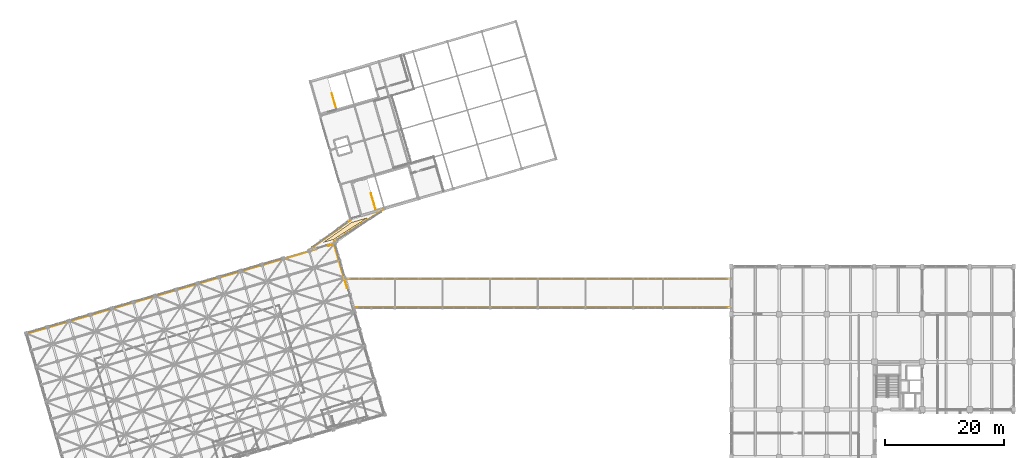
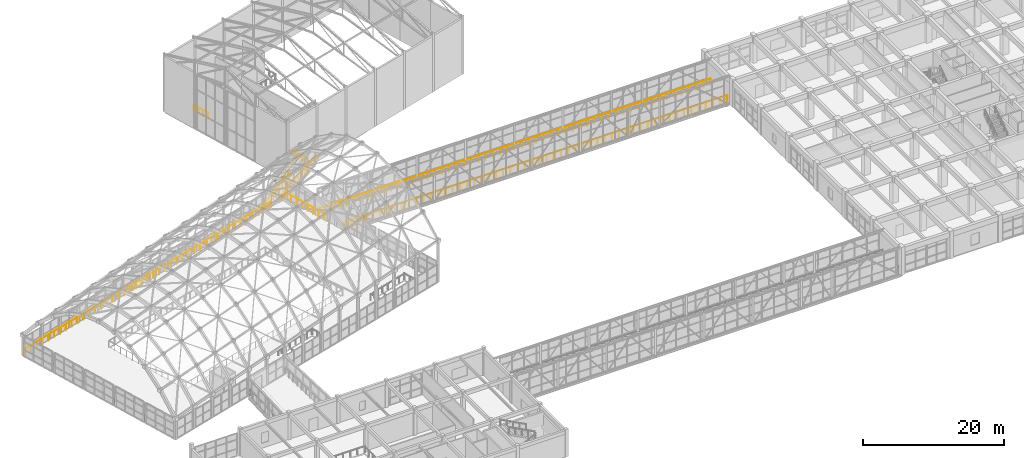
# One storey, part 243 of 248: 8 railings, 1 covering, 1 element without a shape of its own.
"""IFC4 building model written with IfcOpenShell, lengths in metres."""

from ifc_helpers import new_model, si_unit, direction, frame, origin, origin_2d, place, context, subcontext, project, spatial, polyline, circle, outline, extrude, material, layer, layer_set, type_object, element, aggregate, save


model = new_model("IFC4")

# Units and contexts
model_context = context("Model", 3, precision=1e-05, world=origin(), true_north=direction((0.0, 1.0)))
body_context = subcontext(model_context, "Body", "Model", "MODEL_VIEW")
ifc_project = project(units=[si_unit("LENGTHUNIT", "METRE"), si_unit("AREAUNIT", "SQUARE_METRE"), si_unit("VOLUMEUNIT", "CUBIC_METRE"), si_unit("PLANEANGLEUNIT", "RADIAN"), si_unit("MASSUNIT", "GRAM", prefix="KILO")], contexts=[model_context])

# Site, building, storey
site_placement = place(None, origin())
site = spatial("IfcSite", under=ifc_project, at=site_placement, CompositionType="ELEMENT")
building_placement = place(site_placement, origin())
building = spatial("IfcBuilding", under=site, at=building_placement, Name="Canggui Botanical Conservatory", CompositionType="ELEMENT")
storey_placement = place(building_placement, frame((0.0, 0.0, 5.39990234375)))
storey = spatial("IfcBuildingStorey", under=building, at=storey_placement, Name="L02", CompositionType="ELEMENT", Elevation=5.39990234375)

# Roof, covering
ifc_material_1 = material(Name="Concrete C35", Category="concrete")
ifc_layer_1 = layer(ifc_material_1, 0.239990234375, Name="Concrete C35", Category="concrete")
ifc_layer_set_1 = layer_set([ifc_layer_1], Name="Concrete C35")
roof_type = type_object("IfcRoofType", Name="ROOF-FLAT", PredefinedType="FLAT_ROOF", material=ifc_layer_set_1)
roof_placement = place(storey_placement, origin())
roof = element("IfcRoof", 1, at=roof_placement, inside=storey, type_object=roof_type, Name="North-West Spur Covered Skybridge SB-03 Flat Roof", PredefinedType="FLAT_ROOF")
ifc_material_2 = material(Name="TPO Waterproofing Membrane")
ifc_layer_2 = layer(ifc_material_2, 0.02490234375, Name="TPO Waterproofing Membrane")
ifc_layer_set_2 = layer_set([ifc_layer_2], Name="TPO Waterproofing Membrane")
covering_type = type_object("IfcCoveringType", Name="COV-ROOF-25", PredefinedType="ROOFING", material=ifc_layer_set_2)
covering_placement = place(storey_placement, frame((0.0, 0.0, 3.35009765625)))
covering = element("IfcCovering", 2, at=covering_placement, type_object=covering_type, Name="SB-03 Roof TPO Waterproofing Membrane", PredefinedType="ROOFING", context=body_context, shape_type="SweptSolid", body=[
    extrude(outline(polyline([(61.510009765625, 86.0341796875), (66.254638671875, 89.397216796875), (68.91796875, 90.174072265625), (63.1962890625, 86.52587890625), (61.510009765625, 86.0341796875)])), origin(), (0.0, 0.0, 1.0), 0.02490234375),
])
aggregate(roof, [covering])

# Railings
ifc_material_3 = material(Name="Stainless Steel 304", Category="steel")
railing_type_1 = type_object("IfcRailingType", Name="RAIL-GUARD-1100", PredefinedType="BALUSTRADE", material=ifc_material_3)
for number, where, name in (
    (3, (70.264404296875, 91.629150390625, 0.0), "L02 ST-A1 top well guard 1"),
    (4, (63.6884765625, 108.461181640625, 0.0), "L02 ST-A2 top well guard 1"),
):
    element("IfcRailing", number, at=place(storey_placement, frame(where)), inside=storey, type_object=railing_type_1, Name=name, PredefinedType="BALUSTRADE", context=body_context, shape_type="SweptSolid", body=[
        extrude(circle(Radius=0.02392578125, at=origin_2d()), frame((0.0, 0.0, 1.076171875), z_axis=(-0.28, 0.96, 0.0), x_axis=(-0.96, -0.28, 0.0)), (0.0, 0.0, 1.0), 2.7099609375),
        extrude(circle(Radius=0.02099609375, at=origin_2d()), origin(), (0.0, 0.0, 1.0), 1.052001953125),
        extrude(circle(Radius=0.02099609375, at=origin_2d()), frame((-0.2529296875, 0.8671875, 0.0)), (0.0, 0.0, 1.0), 1.052001953125),
        extrude(circle(Radius=0.02099609375, at=origin_2d()), frame((-0.505859375, 1.734375, 0.0)), (0.0, 0.0, 1.0), 1.052001953125),
        extrude(circle(Radius=0.02099609375, at=origin_2d()), frame((-0.7587890625, 2.6015625, 0.0)), (0.0, 0.0, 1.0), 1.052001953125),
    ])
ifc_material_4 = material(Name="Laminated Safety Glass", Category="glass")
railing_type_2 = type_object("IfcRailingType", Name="RAIL-TERR-1200", PredefinedType="BALUSTRADE", material=ifc_material_4)
railing_1_placement = place(storey_placement, frame((59.13330078125, 84.754150390625, 0.0)))
element("IfcRailing", 5, at=railing_1_placement, inside=storey, type_object=railing_type_2, Name="SB-03 Glazed Walkway Guardrail 1", PredefinedType="BALUSTRADE", context=body_context, shape_type="SweptSolid", body=[
    extrude(circle(Radius=0.02392578125, at=origin_2d()), frame((0.0, 0.0, 1.17578125), z_axis=(0.815845291586, 0.578270231117, 0.0), x_axis=(-0.578270231117, 0.815845291586, 0.0)), (0.0, 0.0, 1.0), 8.570556640625),
    extrude(circle(Radius=0.02099609375, at=origin_2d()), origin(), (0.0, 0.0, 1.0), 1.15185546875),
    extrude(circle(Radius=0.02099609375, at=origin_2d()), frame((0.8740234375, 0.61962890625, 0.0)), (0.0, 0.0, 1.0), 1.15185546875),
    extrude(circle(Radius=0.02099609375, at=origin_2d()), frame((1.748046875, 1.239013671875, 0.0)), (0.0, 0.0, 1.0), 1.15185546875),
    extrude(circle(Radius=0.02099609375, at=origin_2d()), frame((2.6220703125, 1.8583984375, 0.0)), (0.0, 0.0, 1.0), 1.15185546875),
    extrude(circle(Radius=0.02099609375, at=origin_2d()), frame((3.49609375, 2.47802734375, 0.0)), (0.0, 0.0, 1.0), 1.15185546875),
    extrude(circle(Radius=0.02099609375, at=origin_2d()), frame((4.3701171875, 3.09765625, 0.0)), (0.0, 0.0, 1.0), 1.15185546875),
    extrude(circle(Radius=0.02099609375, at=origin_2d()), frame((5.244140625, 3.717041015625, 0.0)), (0.0, 0.0, 1.0), 1.15185546875),
    extrude(circle(Radius=0.02099609375, at=origin_2d()), frame((6.1181640625, 4.33642578125, 0.0)), (0.0, 0.0, 1.0), 1.15185546875),
    extrude(circle(Radius=0.02099609375, at=origin_2d()), frame((6.9921875, 4.9560546875, 0.0)), (0.0, 0.0, 1.0), 1.15185546875),
])
railing_2_placement = place(storey_placement, frame((63.319580078125, 86.213134765625, 0.0)))
element("IfcRailing", 6, at=railing_2_placement, inside=storey, type_object=railing_type_2, Name="SB-03 Glazed Walkway Guardrail 2", PredefinedType="BALUSTRADE", context=body_context, shape_type="SweptSolid", body=[
    extrude(circle(Radius=0.02392578125, at=origin_2d()), frame((0.0, 0.0, 1.17578125), z_axis=(0.843197731968, 0.537603557284, 0.0), x_axis=(-0.537603557284, 0.843197731968, 0.0)), (0.0, 0.0, 1.0), 10.0),
    extrude(circle(Radius=0.02099609375, at=origin_2d()), origin(), (0.0, 0.0, 1.0), 1.15185546875),
    extrude(circle(Radius=0.02099609375, at=origin_2d()), frame((0.936767578125, 0.597412109375, 0.0)), (0.0, 0.0, 1.0), 1.15185546875),
    extrude(circle(Radius=0.02099609375, at=origin_2d()), frame((1.873779296875, 1.194580078125, 0.0)), (0.0, 0.0, 1.0), 1.15185546875),
    extrude(circle(Radius=0.02099609375, at=origin_2d()), frame((2.810546875, 1.7919921875, 0.0)), (0.0, 0.0, 1.0), 1.15185546875),
    extrude(circle(Radius=0.02099609375, at=origin_2d()), frame((3.74755859375, 2.389404296875, 0.0)), (0.0, 0.0, 1.0), 1.15185546875),
    extrude(circle(Radius=0.02099609375, at=origin_2d()), frame((4.684326171875, 2.986572265625, 0.0)), (0.0, 0.0, 1.0), 1.15185546875),
    extrude(circle(Radius=0.02099609375, at=origin_2d()), frame((5.621337890625, 3.583984375, 0.0)), (0.0, 0.0, 1.0), 1.15185546875),
    extrude(circle(Radius=0.02099609375, at=origin_2d()), frame((6.55810546875, 4.181396484375, 0.0)), (0.0, 0.0, 1.0), 1.15185546875),
    extrude(circle(Radius=0.02099609375, at=origin_2d()), frame((7.4951171875, 4.778564453125, 0.0)), (0.0, 0.0, 1.0), 1.15185546875),
    extrude(circle(Radius=0.02099609375, at=origin_2d()), frame((8.431884765625, 5.3759765625, 0.0)), (0.0, 0.0, 1.0), 1.15185546875),
])
railing_3_placement = place(storey_placement, frame((66.830078125, 75.1201171875, 0.0)))
element("IfcRailing", 7, at=railing_3_placement, inside=storey, type_object=railing_type_2, Name="SB-04 Glazed Walkway Guardrail 1", PredefinedType="BALUSTRADE", context=body_context, shape_type="SweptSolid", body=[
    extrude(circle(Radius=0.02392578125, at=origin_2d()), frame((0.0, 0.0, 1.17578125), z_axis=(1.0, 0.0, 0.0), x_axis=(0.0, 1.0, 0.0)), (0.0, 0.0, 1.0), 62.969970703125),
    extrude(circle(Radius=0.02099609375, at=origin_2d()), origin(), (0.0, 0.0, 1.0), 1.15185546875),
    extrude(circle(Radius=0.02099609375, at=origin_2d()), frame((1.188232421875, 0.0, 0.0)), (0.0, 0.0, 1.0), 1.15185546875),
    extrude(circle(Radius=0.02099609375, at=origin_2d()), frame((2.376220703125, 0.0, 0.0)), (0.0, 0.0, 1.0), 1.15185546875),
    extrude(circle(Radius=0.02099609375, at=origin_2d()), frame((3.564453125, 0.0, 0.0)), (0.0, 0.0, 1.0), 1.15185546875),
    extrude(circle(Radius=0.02099609375, at=origin_2d()), frame((4.75244140625, 0.0, 0.0)), (0.0, 0.0, 1.0), 1.15185546875),
    extrude(circle(Radius=0.02099609375, at=origin_2d()), frame((5.940673828125, 0.0, 0.0)), (0.0, 0.0, 1.0), 1.15185546875),
    extrude(circle(Radius=0.02099609375, at=origin_2d()), frame((7.128662109375, 0.0, 0.0)), (0.0, 0.0, 1.0), 1.15185546875),
    extrude(circle(Radius=0.02099609375, at=origin_2d()), frame((8.31689453125, 0.0, 0.0)), (0.0, 0.0, 1.0), 1.15185546875),
    extrude(circle(Radius=0.02099609375, at=origin_2d()), frame((9.5048828125, 0.0, 0.0)), (0.0, 0.0, 1.0), 1.15185546875),
    extrude(circle(Radius=0.02099609375, at=origin_2d()), frame((10.693115234375, 0.0, 0.0)), (0.0, 0.0, 1.0), 1.15185546875),
    extrude(circle(Radius=0.02099609375, at=origin_2d()), frame((11.881103515625, 0.0, 0.0)), (0.0, 0.0, 1.0), 1.15185546875),
    extrude(circle(Radius=0.02099609375, at=origin_2d()), frame((13.0693359375, 0.0, 0.0)), (0.0, 0.0, 1.0), 1.15185546875),
    extrude(circle(Radius=0.02099609375, at=origin_2d()), frame((14.25732421875, 0.0, 0.0)), (0.0, 0.0, 1.0), 1.15185546875),
    extrude(circle(Radius=0.02099609375, at=origin_2d()), frame((15.445556640625, 0.0, 0.0)), (0.0, 0.0, 1.0), 1.15185546875),
    extrude(circle(Radius=0.02099609375, at=origin_2d()), frame((16.633544921875, 0.0, 0.0)), (0.0, 0.0, 1.0), 1.15185546875),
    extrude(circle(Radius=0.02099609375, at=origin_2d()), frame((17.82177734375, 0.0, 0.0)), (0.0, 0.0, 1.0), 1.15185546875),
    extrude(circle(Radius=0.02099609375, at=origin_2d()), frame((19.009765625, 0.0, 0.0)), (0.0, 0.0, 1.0), 1.15185546875),
    extrude(circle(Radius=0.02099609375, at=origin_2d()), frame((20.197998046875, 0.0, 0.0)), (0.0, 0.0, 1.0), 1.15185546875),
    extrude(circle(Radius=0.02099609375, at=origin_2d()), frame((21.385986328125, 0.0, 0.0)), (0.0, 0.0, 1.0), 1.15185546875),
    extrude(circle(Radius=0.02099609375, at=origin_2d()), frame((22.57421875, 0.0, 0.0)), (0.0, 0.0, 1.0), 1.15185546875),
    extrude(circle(Radius=0.02099609375, at=origin_2d()), frame((23.76220703125, 0.0, 0.0)), (0.0, 0.0, 1.0), 1.15185546875),
    extrude(circle(Radius=0.02099609375, at=origin_2d()), frame((24.950439453125, 0.0, 0.0)), (0.0, 0.0, 1.0), 1.15185546875),
    extrude(circle(Radius=0.02099609375, at=origin_2d()), frame((26.138427734375, 0.0, 0.0)), (0.0, 0.0, 1.0), 1.15185546875),
    extrude(circle(Radius=0.02099609375, at=origin_2d()), frame((27.32666015625, 0.0, 0.0)), (0.0, 0.0, 1.0), 1.15185546875),
    extrude(circle(Radius=0.02099609375, at=origin_2d()), frame((28.5146484375, 0.0, 0.0)), (0.0, 0.0, 1.0), 1.15185546875),
    extrude(circle(Radius=0.02099609375, at=origin_2d()), frame((29.702880859375, 0.0, 0.0)), (0.0, 0.0, 1.0), 1.15185546875),
    extrude(circle(Radius=0.02099609375, at=origin_2d()), frame((30.890869140625, 0.0, 0.0)), (0.0, 0.0, 1.0), 1.15185546875),
    extrude(circle(Radius=0.02099609375, at=origin_2d()), frame((32.0791015625, 0.0, 0.0)), (0.0, 0.0, 1.0), 1.15185546875),
    extrude(circle(Radius=0.02099609375, at=origin_2d()), frame((33.26708984375, 0.0, 0.0)), (0.0, 0.0, 1.0), 1.15185546875),
    extrude(circle(Radius=0.02099609375, at=origin_2d()), frame((34.455322265625, 0.0, 0.0)), (0.0, 0.0, 1.0), 1.15185546875),
    extrude(circle(Radius=0.02099609375, at=origin_2d()), frame((35.643310546875, 0.0, 0.0)), (0.0, 0.0, 1.0), 1.15185546875),
    extrude(circle(Radius=0.02099609375, at=origin_2d()), frame((36.83154296875, 0.0, 0.0)), (0.0, 0.0, 1.0), 1.15185546875),
    extrude(circle(Radius=0.02099609375, at=origin_2d()), frame((38.01953125, 0.0, 0.0)), (0.0, 0.0, 1.0), 1.15185546875),
    extrude(circle(Radius=0.02099609375, at=origin_2d()), frame((39.207763671875, 0.0, 0.0)), (0.0, 0.0, 1.0), 1.15185546875),
    extrude(circle(Radius=0.02099609375, at=origin_2d()), frame((40.395751953125, 0.0, 0.0)), (0.0, 0.0, 1.0), 1.15185546875),
    extrude(circle(Radius=0.02099609375, at=origin_2d()), frame((41.583984375, 0.0, 0.0)), (0.0, 0.0, 1.0), 1.15185546875),
    extrude(circle(Radius=0.02099609375, at=origin_2d()), frame((42.77197265625, 0.0, 0.0)), (0.0, 0.0, 1.0), 1.15185546875),
    extrude(circle(Radius=0.02099609375, at=origin_2d()), frame((43.960205078125, 0.0, 0.0)), (0.0, 0.0, 1.0), 1.15185546875),
    extrude(circle(Radius=0.02099609375, at=origin_2d()), frame((45.148193359375, 0.0, 0.0)), (0.0, 0.0, 1.0), 1.15185546875),
    extrude(circle(Radius=0.02099609375, at=origin_2d()), frame((46.33642578125, 0.0, 0.0)), (0.0, 0.0, 1.0), 1.15185546875),
    extrude(circle(Radius=0.02099609375, at=origin_2d()), frame((47.5244140625, 0.0, 0.0)), (0.0, 0.0, 1.0), 1.15185546875),
    extrude(circle(Radius=0.02099609375, at=origin_2d()), frame((48.712646484375, 0.0, 0.0)), (0.0, 0.0, 1.0), 1.15185546875),
    extrude(circle(Radius=0.02099609375, at=origin_2d()), frame((49.900634765625, 0.0, 0.0)), (0.0, 0.0, 1.0), 1.15185546875),
    extrude(circle(Radius=0.02099609375, at=origin_2d()), frame((51.0888671875, 0.0, 0.0)), (0.0, 0.0, 1.0), 1.15185546875),
    extrude(circle(Radius=0.02099609375, at=origin_2d()), frame((52.27685546875, 0.0, 0.0)), (0.0, 0.0, 1.0), 1.15185546875),
    extrude(circle(Radius=0.02099609375, at=origin_2d()), frame((53.465087890625, 0.0, 0.0)), (0.0, 0.0, 1.0), 1.15185546875),
    extrude(circle(Radius=0.02099609375, at=origin_2d()), frame((54.653076171875, 0.0, 0.0)), (0.0, 0.0, 1.0), 1.15185546875),
    extrude(circle(Radius=0.02099609375, at=origin_2d()), frame((55.84130859375, 0.0, 0.0)), (0.0, 0.0, 1.0), 1.15185546875),
    extrude(circle(Radius=0.02099609375, at=origin_2d()), frame((57.029296875, 0.0, 0.0)), (0.0, 0.0, 1.0), 1.15185546875),
    extrude(circle(Radius=0.02099609375, at=origin_2d()), frame((58.217529296875, 0.0, 0.0)), (0.0, 0.0, 1.0), 1.15185546875),
    extrude(circle(Radius=0.02099609375, at=origin_2d()), frame((59.405517578125, 0.0, 0.0)), (0.0, 0.0, 1.0), 1.15185546875),
    extrude(circle(Radius=0.02099609375, at=origin_2d()), frame((60.59375, 0.0, 0.0)), (0.0, 0.0, 1.0), 1.15185546875),
    extrude(circle(Radius=0.02099609375, at=origin_2d()), frame((61.78173828125, 0.0, 0.0)), (0.0, 0.0, 1.0), 1.15185546875),
    extrude(circle(Radius=0.02099609375, at=origin_2d()), frame((62.969970703125, 0.0, 0.0)), (0.0, 0.0, 1.0), 1.15185546875),
])
railing_4_placement = place(storey_placement, frame((65.3701171875, 79.8798828125, 0.0)))
element("IfcRailing", 8, at=railing_4_placement, inside=storey, type_object=railing_type_2, Name="SB-04 Glazed Walkway Guardrail 2", PredefinedType="BALUSTRADE", context=body_context, shape_type="SweptSolid", body=[
    extrude(circle(Radius=0.02392578125, at=origin_2d()), frame((0.0, 0.0, 1.17578125), z_axis=(1.0, 0.0, 0.0), x_axis=(0.0, 1.0, 0.0)), (0.0, 0.0, 1.0), 64.429931640625),
    extrude(circle(Radius=0.02099609375, at=origin_2d()), origin(), (0.0, 0.0, 1.0), 1.15185546875),
    extrude(circle(Radius=0.02099609375, at=origin_2d()), frame((1.193115234375, 0.0, 0.0)), (0.0, 0.0, 1.0), 1.15185546875),
    extrude(circle(Radius=0.02099609375, at=origin_2d()), frame((2.38623046875, 0.0, 0.0)), (0.0, 0.0, 1.0), 1.15185546875),
    extrude(circle(Radius=0.02099609375, at=origin_2d()), frame((3.579345703125, 0.0, 0.0)), (0.0, 0.0, 1.0), 1.15185546875),
    extrude(circle(Radius=0.02099609375, at=origin_2d()), frame((4.772705078125, 0.0, 0.0)), (0.0, 0.0, 1.0), 1.15185546875),
    extrude(circle(Radius=0.02099609375, at=origin_2d()), frame((5.9658203125, 0.0, 0.0)), (0.0, 0.0, 1.0), 1.15185546875),
    extrude(circle(Radius=0.02099609375, at=origin_2d()), frame((7.158935546875, 0.0, 0.0)), (0.0, 0.0, 1.0), 1.15185546875),
    extrude(circle(Radius=0.02099609375, at=origin_2d()), frame((8.35205078125, 0.0, 0.0)), (0.0, 0.0, 1.0), 1.15185546875),
    extrude(circle(Radius=0.02099609375, at=origin_2d()), frame((9.545166015625, 0.0, 0.0)), (0.0, 0.0, 1.0), 1.15185546875),
    extrude(circle(Radius=0.02099609375, at=origin_2d()), frame((10.73828125, 0.0, 0.0)), (0.0, 0.0, 1.0), 1.15185546875),
    extrude(circle(Radius=0.02099609375, at=origin_2d()), frame((11.931396484375, 0.0, 0.0)), (0.0, 0.0, 1.0), 1.15185546875),
    extrude(circle(Radius=0.02099609375, at=origin_2d()), frame((13.12451171875, 0.0, 0.0)), (0.0, 0.0, 1.0), 1.15185546875),
    extrude(circle(Radius=0.02099609375, at=origin_2d()), frame((14.31787109375, 0.0, 0.0)), (0.0, 0.0, 1.0), 1.15185546875),
    extrude(circle(Radius=0.02099609375, at=origin_2d()), frame((15.510986328125, 0.0, 0.0)), (0.0, 0.0, 1.0), 1.15185546875),
    extrude(circle(Radius=0.02099609375, at=origin_2d()), frame((16.7041015625, 0.0, 0.0)), (0.0, 0.0, 1.0), 1.15185546875),
    extrude(circle(Radius=0.02099609375, at=origin_2d()), frame((17.897216796875, 0.0, 0.0)), (0.0, 0.0, 1.0), 1.15185546875),
    extrude(circle(Radius=0.02099609375, at=origin_2d()), frame((19.09033203125, 0.0, 0.0)), (0.0, 0.0, 1.0), 1.15185546875),
    extrude(circle(Radius=0.02099609375, at=origin_2d()), frame((20.283447265625, 0.0, 0.0)), (0.0, 0.0, 1.0), 1.15185546875),
    extrude(circle(Radius=0.02099609375, at=origin_2d()), frame((21.4765625, 0.0, 0.0)), (0.0, 0.0, 1.0), 1.15185546875),
    extrude(circle(Radius=0.02099609375, at=origin_2d()), frame((22.669677734375, 0.0, 0.0)), (0.0, 0.0, 1.0), 1.15185546875),
    extrude(circle(Radius=0.02099609375, at=origin_2d()), frame((23.863037109375, 0.0, 0.0)), (0.0, 0.0, 1.0), 1.15185546875),
    extrude(circle(Radius=0.02099609375, at=origin_2d()), frame((25.05615234375, 0.0, 0.0)), (0.0, 0.0, 1.0), 1.15185546875),
    extrude(circle(Radius=0.02099609375, at=origin_2d()), frame((26.249267578125, 0.0, 0.0)), (0.0, 0.0, 1.0), 1.15185546875),
    extrude(circle(Radius=0.02099609375, at=origin_2d()), frame((27.4423828125, 0.0, 0.0)), (0.0, 0.0, 1.0), 1.15185546875),
    extrude(circle(Radius=0.02099609375, at=origin_2d()), frame((28.635498046875, 0.0, 0.0)), (0.0, 0.0, 1.0), 1.15185546875),
    extrude(circle(Radius=0.02099609375, at=origin_2d()), frame((29.82861328125, 0.0, 0.0)), (0.0, 0.0, 1.0), 1.15185546875),
    extrude(circle(Radius=0.02099609375, at=origin_2d()), frame((31.021728515625, 0.0, 0.0)), (0.0, 0.0, 1.0), 1.15185546875),
    extrude(circle(Radius=0.02099609375, at=origin_2d()), frame((32.21484375, 0.0, 0.0)), (0.0, 0.0, 1.0), 1.15185546875),
    extrude(circle(Radius=0.02099609375, at=origin_2d()), frame((33.408203125, 0.0, 0.0)), (0.0, 0.0, 1.0), 1.15185546875),
    extrude(circle(Radius=0.02099609375, at=origin_2d()), frame((34.601318359375, 0.0, 0.0)), (0.0, 0.0, 1.0), 1.15185546875),
    extrude(circle(Radius=0.02099609375, at=origin_2d()), frame((35.79443359375, 0.0, 0.0)), (0.0, 0.0, 1.0), 1.15185546875),
    extrude(circle(Radius=0.02099609375, at=origin_2d()), frame((36.987548828125, 0.0, 0.0)), (0.0, 0.0, 1.0), 1.15185546875),
    extrude(circle(Radius=0.02099609375, at=origin_2d()), frame((38.1806640625, 0.0, 0.0)), (0.0, 0.0, 1.0), 1.15185546875),
    extrude(circle(Radius=0.02099609375, at=origin_2d()), frame((39.373779296875, 0.0, 0.0)), (0.0, 0.0, 1.0), 1.15185546875),
    extrude(circle(Radius=0.02099609375, at=origin_2d()), frame((40.56689453125, 0.0, 0.0)), (0.0, 0.0, 1.0), 1.15185546875),
    extrude(circle(Radius=0.02099609375, at=origin_2d()), frame((41.76025390625, 0.0, 0.0)), (0.0, 0.0, 1.0), 1.15185546875),
    extrude(circle(Radius=0.02099609375, at=origin_2d()), frame((42.953369140625, 0.0, 0.0)), (0.0, 0.0, 1.0), 1.15185546875),
    extrude(circle(Radius=0.02099609375, at=origin_2d()), frame((44.146484375, 0.0, 0.0)), (0.0, 0.0, 1.0), 1.15185546875),
    extrude(circle(Radius=0.02099609375, at=origin_2d()), frame((45.339599609375, 0.0, 0.0)), (0.0, 0.0, 1.0), 1.15185546875),
    extrude(circle(Radius=0.02099609375, at=origin_2d()), frame((46.53271484375, 0.0, 0.0)), (0.0, 0.0, 1.0), 1.15185546875),
    extrude(circle(Radius=0.02099609375, at=origin_2d()), frame((47.725830078125, 0.0, 0.0)), (0.0, 0.0, 1.0), 1.15185546875),
    extrude(circle(Radius=0.02099609375, at=origin_2d()), frame((48.9189453125, 0.0, 0.0)), (0.0, 0.0, 1.0), 1.15185546875),
    extrude(circle(Radius=0.02099609375, at=origin_2d()), frame((50.112060546875, 0.0, 0.0)), (0.0, 0.0, 1.0), 1.15185546875),
    extrude(circle(Radius=0.02099609375, at=origin_2d()), frame((51.305419921875, 0.0, 0.0)), (0.0, 0.0, 1.0), 1.15185546875),
    extrude(circle(Radius=0.02099609375, at=origin_2d()), frame((52.49853515625, 0.0, 0.0)), (0.0, 0.0, 1.0), 1.15185546875),
    extrude(circle(Radius=0.02099609375, at=origin_2d()), frame((53.691650390625, 0.0, 0.0)), (0.0, 0.0, 1.0), 1.15185546875),
    extrude(circle(Radius=0.02099609375, at=origin_2d()), frame((54.884765625, 0.0, 0.0)), (0.0, 0.0, 1.0), 1.15185546875),
    extrude(circle(Radius=0.02099609375, at=origin_2d()), frame((56.077880859375, 0.0, 0.0)), (0.0, 0.0, 1.0), 1.15185546875),
    extrude(circle(Radius=0.02099609375, at=origin_2d()), frame((57.27099609375, 0.0, 0.0)), (0.0, 0.0, 1.0), 1.15185546875),
    extrude(circle(Radius=0.02099609375, at=origin_2d()), frame((58.464111328125, 0.0, 0.0)), (0.0, 0.0, 1.0), 1.15185546875),
    extrude(circle(Radius=0.02099609375, at=origin_2d()), frame((59.6572265625, 0.0, 0.0)), (0.0, 0.0, 1.0), 1.15185546875),
    extrude(circle(Radius=0.02099609375, at=origin_2d()), frame((60.8505859375, 0.0, 0.0)), (0.0, 0.0, 1.0), 1.15185546875),
    extrude(circle(Radius=0.02099609375, at=origin_2d()), frame((62.043701171875, 0.0, 0.0)), (0.0, 0.0, 1.0), 1.15185546875),
    extrude(circle(Radius=0.02099609375, at=origin_2d()), frame((63.23681640625, 0.0, 0.0)), (0.0, 0.0, 1.0), 1.15185546875),
    extrude(circle(Radius=0.02099609375, at=origin_2d()), frame((64.429931640625, 0.0, 0.0)), (0.0, 0.0, 1.0), 1.15185546875),
])
railing_type_3 = type_object("IfcRailingType", Name="RAIL-VOID-1150", PredefinedType="BALUSTRADE", material=ifc_material_4)
railing_5_placement = place(storey_placement, frame((65.493896484375, 78.342041015625, 0.0)))
element("IfcRailing", 9, at=railing_5_placement, inside=storey, type_object=railing_type_3, Name="Conservatory Canopy Skywalk Perimeter Guardrail 3", PredefinedType="BALUSTRADE", context=body_context, shape_type="SweptSolid", body=[
    extrude(circle(Radius=0.02392578125, at=origin_2d()), frame((0.0, 0.0, 1.1259765625), z_axis=(-0.280006087773, 0.959998224379, 0.0), x_axis=(-0.959998224379, -0.280006087773, 0.0)), (0.0, 0.0, 1.0), 7.699951171875),
    extrude(circle(Radius=0.02392578125, at=origin_2d()), frame((-2.156005859375, 7.391845703125, 1.1259765625), z_axis=(-0.960054674526, -0.27981247635, 0.0), x_axis=(0.27981247635, -0.960054674526, 0.0)), (0.0, 0.0, 1.0), 1.0),
    extrude(circle(Radius=0.02099609375, at=origin_2d()), origin(), (0.0, 0.0, 1.0), 1.101806640625),
    extrude(circle(Radius=0.02099609375, at=origin_2d()), frame((-0.30810546875, 1.055908203125, 0.0)), (0.0, 0.0, 1.0), 1.101806640625),
    extrude(circle(Radius=0.02099609375, at=origin_2d()), frame((-0.615966796875, 2.112060546875, 0.0)), (0.0, 0.0, 1.0), 1.101806640625),
    extrude(circle(Radius=0.02099609375, at=origin_2d()), frame((-0.924072265625, 3.16796875, 0.0)), (0.0, 0.0, 1.0), 1.101806640625),
    extrude(circle(Radius=0.02099609375, at=origin_2d()), frame((-1.23193359375, 4.223876953125, 0.0)), (0.0, 0.0, 1.0), 1.101806640625),
    extrude(circle(Radius=0.02099609375, at=origin_2d()), frame((-1.5400390625, 5.27978515625, 0.0)), (0.0, 0.0, 1.0), 1.101806640625),
    extrude(circle(Radius=0.02099609375, at=origin_2d()), frame((-1.847900390625, 6.3359375, 0.0)), (0.0, 0.0, 1.0), 1.101806640625),
    extrude(circle(Radius=0.02099609375, at=origin_2d()), frame((-2.156005859375, 7.391845703125, 0.0)), (0.0, 0.0, 1.0), 1.101806640625),
    extrude(circle(Radius=0.02099609375, at=origin_2d()), frame((-3.115966796875, 7.112060546875, 0.0)), (0.0, 0.0, 1.0), 1.101806640625),
])
railing_6_placement = place(storey_placement, frame((60.26611328125, 84.837890625, 0.0)))
element("IfcRailing", 10, at=railing_6_placement, inside=storey, type_object=railing_type_3, Name="Conservatory Canopy Skywalk Perimeter Guardrail 4", PredefinedType="BALUSTRADE", context=body_context, shape_type="SweptSolid", body=[
    extrude(circle(Radius=0.02392578125, at=origin_2d()), frame((0.0, 0.0, 1.1259765625), z_axis=(-0.96000103081, -0.279996465771, 0.0), x_axis=(0.279996465771, -0.96000103081, 0.0)), (0.0, 0.0, 1.0), 50.39990234375),
    extrude(circle(Radius=0.02099609375, at=origin_2d()), origin(), (0.0, 0.0, 1.0), 1.101806640625),
    extrude(circle(Radius=0.02099609375, at=origin_2d()), frame((-1.152099609375, -0.3359375, 0.0)), (0.0, 0.0, 1.0), 1.101806640625),
    extrude(circle(Radius=0.02099609375, at=origin_2d()), frame((-2.303955078125, -0.671875, 0.0)), (0.0, 0.0, 1.0), 1.101806640625),
    extrude(circle(Radius=0.02099609375, at=origin_2d()), frame((-3.4560546875, -1.008056640625, 0.0)), (0.0, 0.0, 1.0), 1.101806640625),
    extrude(circle(Radius=0.02099609375, at=origin_2d()), frame((-4.60791015625, -1.343994140625, 0.0)), (0.0, 0.0, 1.0), 1.101806640625),
    extrude(circle(Radius=0.02099609375, at=origin_2d()), frame((-5.760009765625, -1.679931640625, 0.0)), (0.0, 0.0, 1.0), 1.101806640625),
    extrude(circle(Radius=0.02099609375, at=origin_2d()), frame((-6.912109375, -2.015869140625, 0.0)), (0.0, 0.0, 1.0), 1.101806640625),
    extrude(circle(Radius=0.02099609375, at=origin_2d()), frame((-8.06396484375, -2.35205078125, 0.0)), (0.0, 0.0, 1.0), 1.101806640625),
    extrude(circle(Radius=0.02099609375, at=origin_2d()), frame((-9.216064453125, -2.68798828125, 0.0)), (0.0, 0.0, 1.0), 1.101806640625),
    extrude(circle(Radius=0.02099609375, at=origin_2d()), frame((-10.367919921875, -3.02392578125, 0.0)), (0.0, 0.0, 1.0), 1.101806640625),
    extrude(circle(Radius=0.02099609375, at=origin_2d()), frame((-11.52001953125, -3.35986328125, 0.0)), (0.0, 0.0, 1.0), 1.101806640625),
    extrude(circle(Radius=0.02099609375, at=origin_2d()), frame((-12.672119140625, -3.696044921875, 0.0)), (0.0, 0.0, 1.0), 1.101806640625),
    extrude(circle(Radius=0.02099609375, at=origin_2d()), frame((-13.823974609375, -4.031982421875, 0.0)), (0.0, 0.0, 1.0), 1.101806640625),
    extrude(circle(Radius=0.02099609375, at=origin_2d()), frame((-14.97607421875, -4.367919921875, 0.0)), (0.0, 0.0, 1.0), 1.101806640625),
    extrude(circle(Radius=0.02099609375, at=origin_2d()), frame((-16.1279296875, -4.703857421875, 0.0)), (0.0, 0.0, 1.0), 1.101806640625),
    extrude(circle(Radius=0.02099609375, at=origin_2d()), frame((-17.280029296875, -5.0400390625, 0.0)), (0.0, 0.0, 1.0), 1.101806640625),
    extrude(circle(Radius=0.02099609375, at=origin_2d()), frame((-18.43212890625, -5.3759765625, 0.0)), (0.0, 0.0, 1.0), 1.101806640625),
    extrude(circle(Radius=0.02099609375, at=origin_2d()), frame((-19.583984375, -5.7119140625, 0.0)), (0.0, 0.0, 1.0), 1.101806640625),
    extrude(circle(Radius=0.02099609375, at=origin_2d()), frame((-20.736083984375, -6.0478515625, 0.0)), (0.0, 0.0, 1.0), 1.101806640625),
    extrude(circle(Radius=0.02099609375, at=origin_2d()), frame((-21.887939453125, -6.384033203125, 0.0)), (0.0, 0.0, 1.0), 1.101806640625),
    extrude(circle(Radius=0.02099609375, at=origin_2d()), frame((-23.0400390625, -6.719970703125, 0.0)), (0.0, 0.0, 1.0), 1.101806640625),
    extrude(circle(Radius=0.02099609375, at=origin_2d()), frame((-24.19189453125, -7.055908203125, 0.0)), (0.0, 0.0, 1.0), 1.101806640625),
    extrude(circle(Radius=0.02099609375, at=origin_2d()), frame((-25.343994140625, -7.391845703125, 0.0)), (0.0, 0.0, 1.0), 1.101806640625),
    extrude(circle(Radius=0.02099609375, at=origin_2d()), frame((-26.49609375, -7.727783203125, 0.0)), (0.0, 0.0, 1.0), 1.101806640625),
    extrude(circle(Radius=0.02099609375, at=origin_2d()), frame((-27.64794921875, -8.06396484375, 0.0)), (0.0, 0.0, 1.0), 1.101806640625),
    extrude(circle(Radius=0.02099609375, at=origin_2d()), frame((-28.800048828125, -8.39990234375, 0.0)), (0.0, 0.0, 1.0), 1.101806640625),
    extrude(circle(Radius=0.02099609375, at=origin_2d()), frame((-29.951904296875, -8.73583984375, 0.0)), (0.0, 0.0, 1.0), 1.101806640625),
    extrude(circle(Radius=0.02099609375, at=origin_2d()), frame((-31.10400390625, -9.07177734375, 0.0)), (0.0, 0.0, 1.0), 1.101806640625),
    extrude(circle(Radius=0.02099609375, at=origin_2d()), frame((-32.256103515625, -9.407958984375, 0.0)), (0.0, 0.0, 1.0), 1.101806640625),
    extrude(circle(Radius=0.02099609375, at=origin_2d()), frame((-33.407958984375, -9.743896484375, 0.0)), (0.0, 0.0, 1.0), 1.101806640625),
    extrude(circle(Radius=0.02099609375, at=origin_2d()), frame((-34.56005859375, -10.079833984375, 0.0)), (0.0, 0.0, 1.0), 1.101806640625),
    extrude(circle(Radius=0.02099609375, at=origin_2d()), frame((-35.7119140625, -10.415771484375, 0.0)), (0.0, 0.0, 1.0), 1.101806640625),
    extrude(circle(Radius=0.02099609375, at=origin_2d()), frame((-36.864013671875, -10.751953125, 0.0)), (0.0, 0.0, 1.0), 1.101806640625),
    extrude(circle(Radius=0.02099609375, at=origin_2d()), frame((-38.01611328125, -11.087890625, 0.0)), (0.0, 0.0, 1.0), 1.101806640625),
    extrude(circle(Radius=0.02099609375, at=origin_2d()), frame((-39.16796875, -11.423828125, 0.0)), (0.0, 0.0, 1.0), 1.101806640625),
    extrude(circle(Radius=0.02099609375, at=origin_2d()), frame((-40.320068359375, -11.759765625, 0.0)), (0.0, 0.0, 1.0), 1.101806640625),
    extrude(circle(Radius=0.02099609375, at=origin_2d()), frame((-41.471923828125, -12.095947265625, 0.0)), (0.0, 0.0, 1.0), 1.101806640625),
    extrude(circle(Radius=0.02099609375, at=origin_2d()), frame((-42.6240234375, -12.431884765625, 0.0)), (0.0, 0.0, 1.0), 1.101806640625),
    extrude(circle(Radius=0.02099609375, at=origin_2d()), frame((-43.776123046875, -12.767822265625, 0.0)), (0.0, 0.0, 1.0), 1.101806640625),
    extrude(circle(Radius=0.02099609375, at=origin_2d()), frame((-44.927978515625, -13.103759765625, 0.0)), (0.0, 0.0, 1.0), 1.101806640625),
    extrude(circle(Radius=0.02099609375, at=origin_2d()), frame((-46.080078125, -13.43994140625, 0.0)), (0.0, 0.0, 1.0), 1.101806640625),
    extrude(circle(Radius=0.02099609375, at=origin_2d()), frame((-47.23193359375, -13.77587890625, 0.0)), (0.0, 0.0, 1.0), 1.101806640625),
    extrude(circle(Radius=0.02099609375, at=origin_2d()), frame((-48.384033203125, -14.11181640625, 0.0)), (0.0, 0.0, 1.0), 1.101806640625),
])

save(model, "model.ifc")
